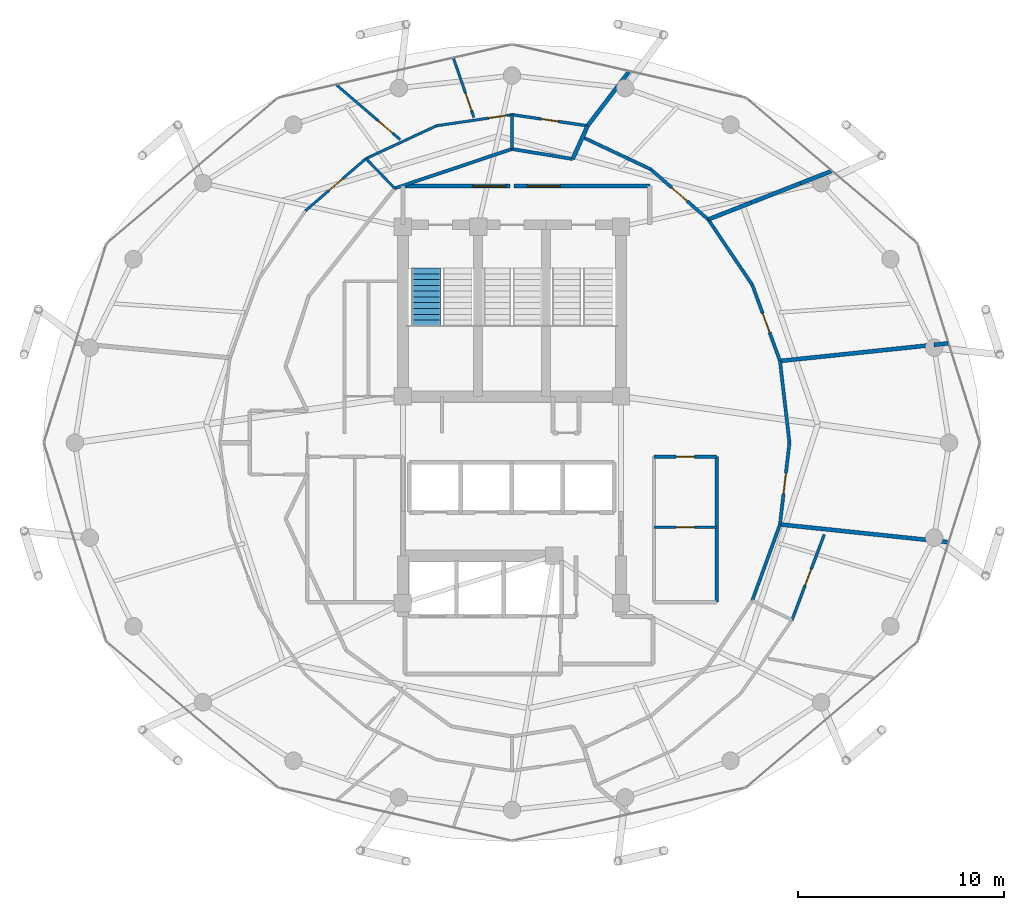
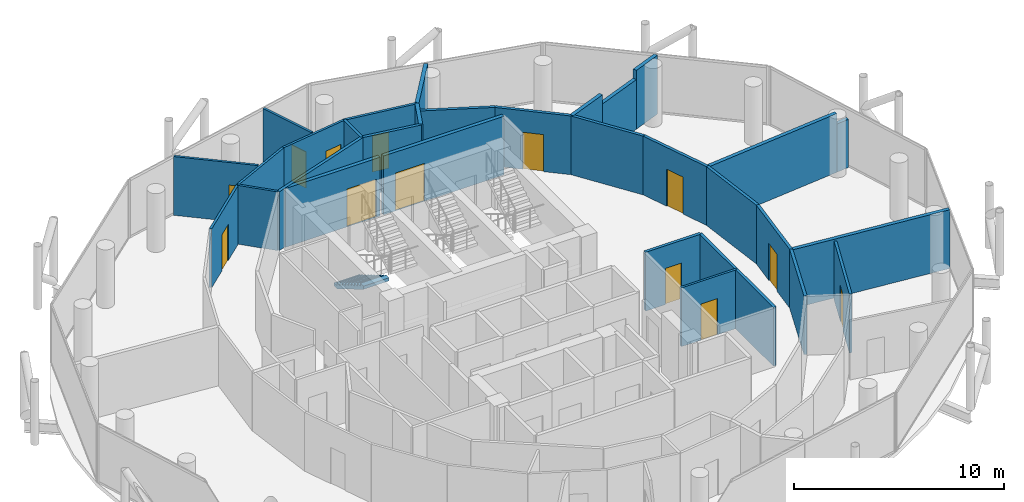
# One storey, part 25 of 27: 31 walls, 13 doors, 1 stair flight, 13 openings, 1 element without a shape of its own.
"""IFC4 building model written with IfcOpenShell, lengths in metres."""

from ifc_helpers import new_model, si_unit, direction, frame, frame_2d, origin, place, context, subcontext, project, spatial, polyline, rectangle, outline, extrude, material, layer, layer_set, type_object, element, fill, aggregate, save


model = new_model("IFC4")

# Units and contexts
model_context = context("Model", 3, precision=1e-05, world=origin(), true_north=direction((0.0, 1.0)))
body_context = subcontext(model_context, "Body", "Model", "MODEL_VIEW")
ifc_project = project(units=[si_unit("LENGTHUNIT", "METRE"), si_unit("AREAUNIT", "SQUARE_METRE"), si_unit("VOLUMEUNIT", "CUBIC_METRE"), si_unit("PLANEANGLEUNIT", "RADIAN"), si_unit("MASSUNIT", "GRAM", prefix="KILO")], contexts=[model_context])

# Site, building, storey
site_placement = place(None, origin())
site = spatial("IfcSite", under=ifc_project, at=site_placement, CompositionType="ELEMENT")
building_placement = place(site_placement, origin())
building = spatial("IfcBuilding", under=site, at=building_placement, Name="Nuhasar Tower", CompositionType="ELEMENT")
storey_placement = place(building_placement, frame((0.0, 0.0, 244.64990234375)))
storey = spatial("IfcBuildingStorey", under=building, at=storey_placement, Name="L60", CompositionType="ELEMENT", Elevation=244.64990234375)

# Wall
ifc_material_1 = material(Name="Gypsum Board", Category="gypsum")
ifc_layer_1 = layer(ifc_material_1, 0.159912109375)
ifc_layer_set_1 = layer_set([ifc_layer_1], Name="Gypsum Board")
wall_type_1 = type_object("IfcWallType", Name="WL-CORR-160", PredefinedType="PARTITIONING", material=ifc_layer_set_1)
wall_1_placement = place(storey_placement, frame((48.949951171875, 19.050048828125, 0.0), z_axis=(0.0, 0.0, 1.0), x_axis=(0.0, 1.0, 0.0)))
element("IfcWall", 1, at=wall_1_placement, inside=storey, type_object=wall_type_1, Name="L60 Interior Partition RECL-B2-E", PredefinedType="PARTITIONING", context=body_context, shape_type="SweptSolid", body=[
    extrude(rectangle(XDim=7.070068359375, YDim=0.159912109375, at=frame_2d((3.53515625, 0.0))), origin(), (0.0, 0.0, 1.0), 3.41015625),
])

# Wall, opening, door
wall_2_placement = place(storey_placement, frame((48.949951171875, 26.1201171875, 0.0), z_axis=(0.0, 0.0, 1.0), x_axis=(-1.0, 0.0, 0.0)))
wall_2 = element("IfcWall", 2, at=wall_2_placement, inside=storey, type_object=wall_type_1, Name="L60 Interior Partition RECL-B2-N", PredefinedType="PARTITIONING", context=body_context, shape_type="SweptSolid", body=[
    extrude(rectangle(XDim=3.050048828125, YDim=0.159912109375, at=frame_2d((1.52490234375, 0.0))), origin(), (0.0, 0.0, 1.0), 3.41015625),
])
opening_1_placement = place(wall_2_placement, frame((1.074951171875, 0.0, 0.0)))
opening_1 = element("IfcOpeningElement", 3, at=opening_1_placement, cuts=wall_2, Name="Opening DR-01", PredefinedType="OPENING", context=body_context, shape_type="SweptSolid", body=[
    extrude(rectangle(XDim=0.89990234375, YDim=2.10009765625, at=frame_2d((0.449951171875, 1.050048828125))), frame((0.0, 0.08984375, 0.0), z_axis=(0.0, -1.0, 0.0), x_axis=(1.0, 0.0, 0.0)), (0.0, 0.0, 1.0), 0.179931640625),
])
ifc_material_2 = material(Name="Timber Oak", Category="wood")
door_type_1 = type_object("IfcDoorType", Name="DR-ROOM-900", OperationType="NOTDEFINED", PredefinedType="DOOR", material=ifc_material_2)
door_1_placement = place(opening_1_placement, origin())
door_1 = element("IfcDoor", 4, at=door_1_placement, inside=storey, type_object=door_type_1, Name="L60 Utility Room Door", OperationType="SINGLE_SWING_LEFT", OverallHeight=2.10009765625, OverallWidth=0.89990234375, PredefinedType="DOOR", context=body_context, shape_type="SweptSolid", body=[
    extrude(rectangle(XDim=0.89990234375, YDim=2.10009765625, at=frame_2d((0.449951171875, 1.050048828125))), frame((0.0, 0.02490234375, 0.0), z_axis=(0.0, -1.0, 0.0), x_axis=(1.0, 0.0, 0.0)), (0.0, 0.0, 1.0), 0.050048828125),
])
fill(opening_1, door_1)

# Wall
wall_3_placement = place(storey_placement, frame((50.68310546875, 19.125, 0.0), z_axis=(0.0, 0.0, 1.0), x_axis=(0.341917221123, 0.939730075021, 0.0)))
element("IfcWall", 5, at=wall_3_placement, inside=storey, type_object=wall_type_1, Name="L60 Interior Partition CORR-44", PredefinedType="PARTITIONING", context=body_context, shape_type="SweptSolid", body=[
    extrude(rectangle(XDim=3.939208984375, YDim=0.159912109375, at=frame_2d((1.9697265625, 0.0))), origin(), (0.0, 0.0, 1.0), 3.41015625),
])

# Wall, opening, door
wall_4_placement = place(storey_placement, frame((52.489990234375, 26.800048828125, 0.0), z_axis=(0.0, 0.0, 1.0), x_axis=(-0.114999429198, -0.99336555773, 0.0)))
wall_4 = element("IfcWall", 6, at=wall_4_placement, inside=storey, type_object=wall_type_1, Name="L60 Interior Partition CORR-46", PredefinedType="PARTITIONING", context=body_context, shape_type="SweptSolid", body=[
    extrude(rectangle(XDim=3.999755859375, YDim=0.159912109375, at=frame_2d((2.0, 0.0))), origin(), (0.0, 0.0, 1.0), 3.41015625),
])
opening_2_placement = place(wall_4_placement, frame((1.5, 0.0, 0.0)))
opening_2 = element("IfcOpeningElement", 7, at=opening_2_placement, cuts=wall_4, Name="Opening DU-02", PredefinedType="OPENING", context=body_context, shape_type="SweptSolid", body=[
    extrude(rectangle(XDim=1.0, YDim=2.14990234375, at=frame_2d((0.5, 1.074951171875))), frame((0.0, 0.08984375, 0.0), z_axis=(0.0, -1.0, 0.0), x_axis=(1.0, 0.0, 0.0)), (0.0, 0.0, 1.0), 0.179931640625),
])
door_type_2 = type_object("IfcDoorType", Name="DR-FLAT-FD60-1000", OperationType="NOTDEFINED", PredefinedType="DOOR", material=ifc_material_2)
door_2_placement = place(opening_2_placement, origin())
door_2 = element("IfcDoor", 8, at=door_2_placement, inside=storey, type_object=door_type_2, Name="L60 Resident Gourmet Convenience Boutique Entrance Door", OperationType="SINGLE_SWING_RIGHT", OverallHeight=2.14990234375, OverallWidth=1.0, PredefinedType="DOOR", context=body_context, shape_type="SweptSolid", body=[
    extrude(rectangle(XDim=1.0, YDim=2.14990234375, at=frame_2d((0.5, 1.074951171875))), frame((0.0, 0.02490234375, 0.0), z_axis=(0.0, -1.0, 0.0), x_axis=(1.0, 0.0, 0.0)), (0.0, 0.0, 1.0), 0.050048828125),
])
fill(opening_2, door_2)

# Wall
wall_5_placement = place(storey_placement, frame((52.489990234375, 26.800048828125, 0.0), z_axis=(0.0, 0.0, 1.0), x_axis=(-0.115006402616, 0.99336475041, 0.0)))
element("IfcWall", 9, at=wall_5_placement, inside=storey, type_object=wall_type_1, Name="L60 Interior Partition CORR-00", PredefinedType="PARTITIONING", context=body_context, shape_type="SweptSolid", body=[
    extrude(rectangle(XDim=3.99951171875, YDim=0.159912109375, at=frame_2d((1.999755859375, 0.0))), origin(), (0.0, 0.0, 1.0), 3.41015625),
])

# Wall, opening, door
wall_6_placement = place(storey_placement, frame((50.68310546875, 34.47509765625, 0.0), z_axis=(0.0, 0.0, 1.0), x_axis=(0.341897308959, -0.939737319748, 0.0)))
wall_6 = element("IfcWall", 10, at=wall_6_placement, inside=storey, type_object=wall_type_1, Name="L60 Interior Partition CORR-02", PredefinedType="PARTITIONING", context=body_context, shape_type="SweptSolid", body=[
    extrude(rectangle(XDim=3.939453125, YDim=0.159912109375, at=frame_2d((1.9697265625, 0.0))), origin(), (0.0, 0.0, 1.0), 3.41015625),
])
opening_3_placement = place(wall_6_placement, frame((1.469970703125, 0.0, 0.0)))
opening_3 = element("IfcOpeningElement", 11, at=opening_3_placement, cuts=wall_6, Name="Opening DU-02", PredefinedType="OPENING", context=body_context, shape_type="SweptSolid", body=[
    extrude(rectangle(XDim=1.0, YDim=2.14990234375, at=frame_2d((0.5, 1.074951171875))), frame((0.0, 0.08984375, 0.0), z_axis=(0.0, -1.0, 0.0), x_axis=(1.0, 0.0, 0.0)), (0.0, 0.0, 1.0), 0.179931640625),
])
door_3_placement = place(opening_3_placement, origin())
door_3 = element("IfcDoor", 12, at=door_3_placement, inside=storey, type_object=door_type_2, Name="L60 Resident Florist & Art Shop Entrance Door", OperationType="SINGLE_SWING_RIGHT", OverallHeight=2.14990234375, OverallWidth=1.0, PredefinedType="DOOR", context=body_context, shape_type="SweptSolid", body=[
    extrude(rectangle(XDim=1.0, YDim=2.14990234375, at=frame_2d((0.5, 1.074951171875))), frame((0.0, 0.02490234375, 0.0), z_axis=(0.0, -1.0, 0.0), x_axis=(1.0, 0.0, 0.0)), (0.0, 0.0, 1.0), 0.050048828125),
])
fill(opening_3, door_3)

# Wall
wall_7_placement = place(storey_placement, frame((50.68310546875, 34.47509765625, 0.0), z_axis=(0.0, 0.0, 1.0), x_axis=(-0.55915897058, 0.829060459568, 0.0)))
element("IfcWall", 13, at=wall_7_placement, inside=storey, type_object=wall_type_1, Name="L60 Interior Partition CORR-04", PredefinedType="PARTITIONING", context=body_context, shape_type="SweptSolid", body=[
    extrude(rectangle(XDim=3.83447265625, YDim=0.159912109375, at=frame_2d((1.917236328125, 0.0))), origin(), (0.0, 0.0, 1.0), 3.41015625),
])

# Wall, opening, door
wall_8_placement = place(storey_placement, frame((45.7451171875, 40.093017578125, 0.0), z_axis=(0.0, 0.0, 1.0), x_axis=(0.75334282606, -0.65762800003, 0.0)))
wall_8 = element("IfcWall", 14, at=wall_8_placement, inside=storey, type_object=wall_type_1, Name="L60 Interior Partition CORR-06", PredefinedType="PARTITIONING", context=body_context, shape_type="SweptSolid", body=[
    extrude(rectangle(XDim=3.708740234375, YDim=0.159912109375, at=frame_2d((1.8544921875, 0.0))), origin(), (0.0, 0.0, 1.0), 3.41015625),
])
opening_4_placement = place(wall_8_placement, frame((1.35400390625, 0.0, 0.0)))
opening_4 = element("IfcOpeningElement", 15, at=opening_4_placement, cuts=wall_8, Name="Opening DU-02", PredefinedType="OPENING", context=body_context, shape_type="SweptSolid", body=[
    extrude(rectangle(XDim=1.0, YDim=2.14990234375, at=frame_2d((0.5, 1.074951171875))), frame((0.0, 0.08984375, 0.0), z_axis=(0.0, -1.0, 0.0), x_axis=(1.0, 0.0, 0.0)), (0.0, 0.0, 1.0), 0.179931640625),
])
door_4_placement = place(opening_4_placement, origin())
door_4 = element("IfcDoor", 16, at=door_4_placement, inside=storey, type_object=door_type_2, Name="L60 Residents Lounge Pantry Entrance Door", OperationType="SINGLE_SWING_RIGHT", OverallHeight=2.14990234375, OverallWidth=1.0, PredefinedType="DOOR", context=body_context, shape_type="SweptSolid", body=[
    extrude(rectangle(XDim=1.0, YDim=2.14990234375, at=frame_2d((0.5, 1.074951171875))), frame((0.0, 0.02490234375, 0.0), z_axis=(0.0, -1.0, 0.0), x_axis=(1.0, 0.0, 0.0)), (0.0, 0.0, 1.0), 0.050048828125),
])
fill(opening_4, door_4)

# Walls
wall_9_placement = place(storey_placement, frame((45.7451171875, 40.093017578125, 0.0), z_axis=(0.0, 0.0, 1.0), x_axis=(-0.904507668207, 0.426457357955, 0.0)))
element("IfcWall", 17, at=wall_9_placement, inside=storey, type_object=wall_type_1, Name="L60 Interior Partition CORR-08", PredefinedType="PARTITIONING", context=body_context, shape_type="SweptSolid", body=[
    extrude(rectangle(XDim=3.667236328125, YDim=0.159912109375, at=frame_2d((1.83349609375, 0.0))), origin(), (0.0, 0.0, 1.0), 3.41015625),
])
wall_10_placement = place(storey_placement, frame((41.950927734375, 40.593017578125, 0.0), z_axis=(0.0, 0.0, 1.0), x_axis=(-0.986650832406, 0.162850038111, 0.0)))
element("IfcWall", 18, at=wall_10_placement, inside=storey, type_object=wall_type_1, Name="L60 Interior Partition UWEST-CORE-N1-10", PredefinedType="PARTITIONING", context=body_context, shape_type="SweptSolid", body=[
    extrude(rectangle(XDim=2.990966796875, YDim=0.159912109375, at=frame_2d((1.49560546875, 0.0))), origin(), (0.0, 0.0, 1.0), 3.41015625),
])
wall_11_placement = place(storey_placement, frame((39.0, 41.080078125, 0.0), z_axis=(0.0, 0.0, 1.0), x_axis=(-0.948027514656, -0.318188358455, 0.0)))
element("IfcWall", 19, at=wall_11_placement, inside=storey, type_object=wall_type_1, Name="L60 Interior Partition UWEST-CORE-N2-12", PredefinedType="PARTITIONING", context=body_context, shape_type="SweptSolid", body=[
    extrude(rectangle(XDim=6.012451171875, YDim=0.159912109375, at=frame_2d((3.00634765625, 0.0))), origin(), (0.0, 0.0, 1.0), 3.41015625),
])

# Wall, opening, door
ifc_material_3 = material(Name="Concrete C45/55", Category="concrete")
ifc_layer_2 = layer(ifc_material_3, 0.199951171875)
ifc_layer_set_2 = layer_set([ifc_layer_2], Name="Concrete C45/55")
wall_type_2 = type_object("IfcWallType", Name="WL-LOBBY-200", PredefinedType="SOLIDWALL", material=ifc_layer_set_2)
wall_12_placement = place(storey_placement, frame((38.89990234375, 39.280029296875, 0.0), z_axis=(0.0, 0.0, 1.0), x_axis=(-1.0, 0.0, 0.0)))
wall_12 = element("IfcWall", 20, at=wall_12_placement, inside=storey, type_object=wall_type_2, Name="L60 Interior Partition NSL-N1", PredefinedType="SOLIDWALL", context=body_context, shape_type="SweptSolid", body=[
    extrude(rectangle(XDim=5.199951171875, YDim=0.199951171875, at=frame_2d((2.60009765625, 0.0))), origin(), (0.0, 0.0, 1.0), 3.41015625),
])
opening_5_placement = place(wall_12_placement, frame((0.199951171875, 0.0, 0.0)))
opening_5 = element("IfcOpeningElement", 21, at=opening_5_placement, cuts=wall_12, Name="Opening DC-01", PredefinedType="OPENING", context=body_context, shape_type="SweptSolid", body=[
    extrude(rectangle(XDim=1.60009765625, YDim=2.199951171875, at=frame_2d((0.800048828125, 1.10009765625))), frame((0.0, 0.10986328125, 0.0), z_axis=(0.0, -1.0, 0.0), x_axis=(1.0, 0.0, 0.0)), (0.0, 0.0, 1.0), 0.219970703125),
])
ifc_material_4 = material(Name="Steel S355", Category="steel")
door_type_3 = type_object("IfcDoorType", Name="DR-CORR-FD60-1600", OperationType="DOUBLE_DOOR_SINGLE_SWING", PredefinedType="DOOR", material=ifc_material_4)
door_5_placement = place(opening_5_placement, origin())
door_5 = element("IfcDoor", 22, at=door_5_placement, inside=storey, type_object=door_type_3, Name="L60 North Stair Lobby West Door", OperationType="DOUBLE_DOOR_SINGLE_SWING", OverallHeight=2.199951171875, OverallWidth=1.60009765625, PredefinedType="DOOR", context=body_context, shape_type="SweptSolid", body=[
    extrude(rectangle(XDim=1.60009765625, YDim=2.199951171875, at=frame_2d((0.800048828125, 1.10009765625))), frame((0.0, 0.02490234375, 0.0), z_axis=(0.0, -1.0, 0.0), x_axis=(1.0, 0.0, 0.0)), (0.0, 0.0, 1.0), 0.050048828125),
])
fill(opening_5, door_5)

wall_13_placement = place(storey_placement, frame((45.699951171875, 39.280029296875, 0.0), z_axis=(0.0, 0.0, 1.0), x_axis=(-1.0, 0.0, 0.0)))
wall_13 = element("IfcWall", 23, at=wall_13_placement, inside=storey, type_object=wall_type_2, Name="L60 Interior Partition NSL-N2", PredefinedType="SOLIDWALL", context=body_context, shape_type="SweptSolid", body=[
    extrude(rectangle(XDim=6.599853515625, YDim=0.199951171875, at=frame_2d((3.2998046875, 0.0))), origin(), (0.0, 0.0, 1.0), 3.41015625),
])
opening_6_placement = place(wall_13_placement, frame((4.35009765625, 0.0, 0.0)))
opening_6 = element("IfcOpeningElement", 24, at=opening_6_placement, cuts=wall_13, Name="Opening DC-01", PredefinedType="OPENING", context=body_context, shape_type="SweptSolid", body=[
    extrude(rectangle(XDim=1.60009765625, YDim=2.199951171875, at=frame_2d((0.800048828125, 1.10009765625))), frame((0.0, 0.10986328125, 0.0), z_axis=(0.0, -1.0, 0.0), x_axis=(1.0, 0.0, 0.0)), (0.0, 0.0, 1.0), 0.219970703125),
])
door_6_placement = place(opening_6_placement, origin())
door_6 = element("IfcDoor", 25, at=door_6_placement, inside=storey, type_object=door_type_3, Name="L60 North Stair Lobby East Door", OperationType="DOUBLE_DOOR_SINGLE_SWING", OverallHeight=2.199951171875, OverallWidth=1.60009765625, PredefinedType="DOOR", context=body_context, shape_type="SweptSolid", body=[
    extrude(rectangle(XDim=1.60009765625, YDim=2.199951171875, at=frame_2d((0.800048828125, 1.10009765625))), frame((0.0, 0.02490234375, 0.0), z_axis=(0.0, -1.0, 0.0), x_axis=(1.0, 0.0, 0.0)), (0.0, 0.0, 1.0), 0.050048828125),
])
fill(opening_6, door_6)

ifc_layer_3 = layer(ifc_material_1, 0.125)
ifc_layer_set_3 = layer_set([ifc_layer_3], Name="Gypsum Board")
wall_type_3 = type_object("IfcWallType", Name="WL-PART-125", PredefinedType="PARTITIONING", material=ifc_layer_set_3)
wall_14_placement = place(storey_placement, frame((48.949951171875, 22.699951171875, 0.0), z_axis=(0.0, 0.0, 1.0), x_axis=(-1.0, 0.0, 0.0)))
wall_14 = element("IfcWall", 26, at=wall_14_placement, inside=storey, type_object=wall_type_3, Name="L60 Interior Partition RECL-B2-M", PredefinedType="PARTITIONING", context=body_context, shape_type="SweptSolid", body=[
    extrude(rectangle(XDim=3.050048828125, YDim=0.125, at=frame_2d((1.52490234375, 0.0))), origin(), (0.0, 0.0, 1.0), 3.41015625),
])
opening_7_placement = place(wall_14_placement, frame((1.074951171875, 0.0, 0.0)))
opening_7 = element("IfcOpeningElement", 27, at=opening_7_placement, cuts=wall_14, Name="Opening DR-01", PredefinedType="OPENING", context=body_context, shape_type="SweptSolid", body=[
    extrude(rectangle(XDim=0.89990234375, YDim=2.10009765625, at=frame_2d((0.449951171875, 1.050048828125))), frame((0.0, 0.072509765625, 0.0), z_axis=(0.0, -1.0, 0.0), x_axis=(1.0, 0.0, 0.0)), (0.0, 0.0, 1.0), 0.14501953125),
])
door_7_placement = place(opening_7_placement, origin())
door_7 = element("IfcDoor", 28, at=door_7_placement, inside=storey, type_object=door_type_1, Name="L60 Inner Vault Door", OperationType="SINGLE_SWING_RIGHT", OverallHeight=2.10009765625, OverallWidth=0.89990234375, PredefinedType="DOOR", context=body_context, shape_type="SweptSolid", body=[
    extrude(rectangle(XDim=0.89990234375, YDim=2.10009765625, at=frame_2d((0.449951171875, 1.050048828125))), frame((0.0, 0.02490234375, 0.0), z_axis=(0.0, -1.0, 0.0), x_axis=(1.0, 0.0, 0.0)), (0.0, 0.0, 1.0), 0.050048828125),
])
fill(opening_7, door_7)

# Wall
wall_15_placement = place(storey_placement, frame((33.300048828125, 39.1669921875, 0.0), z_axis=(0.0, 0.0, 1.0), x_axis=(-0.695613346208, 0.718416364358, 0.0)))
element("IfcWall", 29, at=wall_15_placement, inside=storey, type_object=wall_type_3, Name="L60 Interior Partition USI-1-KD", PredefinedType="PARTITIONING", context=body_context, shape_type="SweptSolid", body=[
    extrude(rectangle(XDim=2.012939453125, YDim=0.125, at=frame_2d((1.00634765625, 0.0))), origin(), (0.0, 0.0, 1.0), 3.41015625),
])

# Wall, opening, door
wall_16_placement = place(storey_placement, frame((35.324951171875, 42.20703125, 0.0), z_axis=(0.0, 0.0, 1.0), x_axis=(0.989261252839, 0.146158043334, 0.0)))
wall_16 = element("IfcWall", 30, at=wall_16_placement, inside=storey, type_object=wall_type_3, Name="L60 Interior Partition USM-1-K-12", PredefinedType="PARTITIONING", context=body_context, shape_type="SweptSolid", body=[
    extrude(rectangle(XDim=3.71484375, YDim=0.125, at=frame_2d((1.857421875, 0.0))), origin(), (0.0, 0.0, 1.0), 3.41015625),
])
opening_8_placement = place(wall_16_placement, frame((2.56494140625, 0.0, 0.0)))
opening_8 = element("IfcOpeningElement", 31, at=opening_8_placement, cuts=wall_16, Name="Opening DR-01", PredefinedType="OPENING", context=body_context, shape_type="SweptSolid", body=[
    extrude(rectangle(XDim=0.89990234375, YDim=2.10009765625, at=frame_2d((0.449951171875, 1.050048828125))), frame((0.0, 0.072509765625, 0.0), z_axis=(0.0, -1.0, 0.0), x_axis=(1.0, 0.0, 0.0)), (0.0, 0.0, 1.0), 0.14501953125),
])
door_8_placement = place(opening_8_placement, origin())
door_8 = element("IfcDoor", 32, at=door_8_placement, inside=storey, type_object=door_type_1, Name="L60 North-West Sky Home Kitchen Door", OperationType="SINGLE_SWING_RIGHT", OverallHeight=2.10009765625, OverallWidth=0.89990234375, PredefinedType="DOOR", context=body_context, shape_type="SweptSolid", body=[
    extrude(rectangle(XDim=0.89990234375, YDim=2.10009765625, at=frame_2d((0.449951171875, 1.050048828125))), frame((0.0, 0.02490234375, 0.0), z_axis=(0.0, -1.0, 0.0), x_axis=(1.0, 0.0, 0.0)), (0.0, 0.0, 1.0), 0.050048828125),
])
fill(opening_8, door_8)

# Wall
wall_17_placement = place(storey_placement, frame((35.324951171875, 42.20703125, 0.0), z_axis=(0.0, 0.0, 1.0), x_axis=(-0.906625113427, -0.421937085007, 0.0)))
element("IfcWall", 33, at=wall_17_placement, inside=storey, type_object=wall_type_3, Name="L60 Interior Partition USM-1-K-14", PredefinedType="PARTITIONING", context=body_context, shape_type="SweptSolid", body=[
    extrude(rectangle(XDim=3.77783203125, YDim=0.125, at=frame_2d((1.888916015625, 0.0))), origin(), (0.0, 0.0, 1.0), 3.41015625),
])

# Wall, opening, door
wall_18_placement = place(storey_placement, frame((28.958984375, 38.077880859375, 0.0), z_axis=(0.0, 0.0, 1.0), x_axis=(0.757424973134, 0.652922208286, 0.0)))
wall_18 = element("IfcWall", 34, at=wall_18_placement, inside=storey, type_object=wall_type_3, Name="L60 Interior Partition USM-1-D-16", PredefinedType="PARTITIONING", context=body_context, shape_type="SweptSolid", body=[
    extrude(rectangle(XDim=3.8828125, YDim=0.125, at=frame_2d((1.94140625, 0.0))), origin(), (0.0, 0.0, 1.0), 3.41015625),
])
opening_9_placement = place(wall_18_placement, frame((1.490966796875, 0.0, 0.0)))
opening_9 = element("IfcOpeningElement", 35, at=opening_9_placement, cuts=wall_18, Name="Opening DR-01", PredefinedType="OPENING", context=body_context, shape_type="SweptSolid", body=[
    extrude(rectangle(XDim=0.89990234375, YDim=2.10009765625, at=frame_2d((0.449951171875, 1.050048828125))), frame((0.0, 0.072509765625, 0.0), z_axis=(0.0, -1.0, 0.0), x_axis=(1.0, 0.0, 0.0)), (0.0, 0.0, 1.0), 0.14501953125),
])
door_9_placement = place(opening_9_placement, origin())
door_9 = element("IfcDoor", 36, at=door_9_placement, inside=storey, type_object=door_type_1, Name="L60 North-West Sky Home Living Door", OperationType="SINGLE_SWING_LEFT", OverallHeight=2.10009765625, OverallWidth=0.89990234375, PredefinedType="DOOR", context=body_context, shape_type="SweptSolid", body=[
    extrude(rectangle(XDim=0.89990234375, YDim=2.10009765625, at=frame_2d((0.449951171875, 1.050048828125))), frame((0.0, 0.02490234375, 0.0), z_axis=(0.0, -1.0, 0.0), x_axis=(1.0, 0.0, 0.0)), (0.0, 0.0, 1.0), 0.050048828125),
])
fill(opening_9, door_9)

wall_19_placement = place(storey_placement, frame((37.14697265625, 42.614013671875, 0.0), z_axis=(0.0, 0.0, 1.0), x_axis=(-0.325834204973, 0.945426925188, 0.0)))
wall_19 = element("IfcWall", 37, at=wall_19_placement, inside=storey, type_object=wall_type_3, Name="L60 Interior Partition USO-1-B1", PredefinedType="PARTITIONING", context=body_context, shape_type="SweptSolid", body=[
    extrude(rectangle(XDim=3.029296875, YDim=0.125, at=frame_2d((1.5146484375, 0.0))), origin(), (0.0, 0.0, 1.0), 3.41015625),
])
opening_10_placement = place(wall_19_placement, frame((0.35009765625, 0.0, 0.0)))
opening_10 = element("IfcOpeningElement", 38, at=opening_10_placement, cuts=wall_19, Name="Opening DR-01", PredefinedType="OPENING", context=body_context, shape_type="SweptSolid", body=[
    extrude(rectangle(XDim=0.89990234375, YDim=2.10009765625, at=frame_2d((0.449951171875, 1.050048828125))), frame((0.0, 0.072509765625, 0.0), z_axis=(0.0, -1.0, 0.0), x_axis=(1.0, 0.0, 0.0)), (0.0, 0.0, 1.0), 0.14501953125),
])
door_10_placement = place(opening_10_placement, origin())
door_10 = element("IfcDoor", 39, at=door_10_placement, inside=storey, type_object=door_type_1, Name="L60 North-West Sky Home Master Bedroom Door", OperationType="SINGLE_SWING_LEFT", OverallHeight=2.10009765625, OverallWidth=0.89990234375, PredefinedType="DOOR", context=body_context, shape_type="SweptSolid", body=[
    extrude(rectangle(XDim=0.89990234375, YDim=2.10009765625, at=frame_2d((0.449951171875, 1.050048828125))), frame((0.0, 0.02490234375, 0.0), z_axis=(0.0, -1.0, 0.0), x_axis=(1.0, 0.0, 0.0)), (0.0, 0.0, 1.0), 0.050048828125),
])
fill(opening_10, door_10)

wall_20_placement = place(storey_placement, frame((33.56591796875, 41.535888671875, 0.0), z_axis=(0.0, 0.0, 1.0), x_axis=(-0.759099779472, 0.650974288897, 0.0)))
wall_20 = element("IfcWall", 40, at=wall_20_placement, inside=storey, type_object=wall_type_3, Name="L60 Interior Partition USO-1-B2", PredefinedType="PARTITIONING", context=body_context, shape_type="SweptSolid", body=[
    extrude(rectangle(XDim=4.066650390625, YDim=0.125, at=frame_2d((2.033203125, 0.0))), origin(), (0.0, 0.0, 1.0), 3.41015625),
])
opening_11_placement = place(wall_20_placement, frame((0.501953125, 0.0, 0.0)))
opening_11 = element("IfcOpeningElement", 41, at=opening_11_placement, cuts=wall_20, Name="Opening DR-01", PredefinedType="OPENING", context=body_context, shape_type="SweptSolid", body=[
    extrude(rectangle(XDim=0.89990234375, YDim=2.10009765625, at=frame_2d((0.449951171875, 1.050048828125))), frame((0.0, 0.072509765625, 0.0), z_axis=(0.0, -1.0, 0.0), x_axis=(1.0, 0.0, 0.0)), (0.0, 0.0, 1.0), 0.14501953125),
])
door_11_placement = place(opening_11_placement, origin())
door_11 = element("IfcDoor", 42, at=door_11_placement, inside=storey, type_object=door_type_1, Name="L60 North-West Sky Home Study Door", OperationType="SINGLE_SWING_LEFT", OverallHeight=2.10009765625, OverallWidth=0.89990234375, PredefinedType="DOOR", context=body_context, shape_type="SweptSolid", body=[
    extrude(rectangle(XDim=0.89990234375, YDim=2.10009765625, at=frame_2d((0.449951171875, 1.050048828125))), frame((0.0, 0.02490234375, 0.0), z_axis=(0.0, -1.0, 0.0), x_axis=(1.0, 0.0, 0.0)), (0.0, 0.0, 1.0), 0.050048828125),
])
fill(opening_11, door_11)

# Walls
ifc_material_5 = material(Name="Concrete C40/50 precast", Category="concrete")
ifc_layer_4 = layer(ifc_material_5, 0.199951171875)
ifc_layer_set_4 = layer_set([ifc_layer_4], Name="Concrete C40/50 precast")
wall_type_4 = type_object("IfcWallType", Name="WL-UNIT-200", PredefinedType="PARTITIONING", material=ifc_layer_set_4)
wall_21_placement = place(storey_placement, frame((41.950927734375, 40.593017578125, 0.0), z_axis=(0.0, 0.0, 1.0), x_axis=(0.409337233456, 0.912383159263, 0.0)))
element("IfcWall", 43, at=wall_21_placement, inside=storey, type_object=wall_type_4, Name="L60 Interior Partition URAD-10-NW-S1", PredefinedType="PARTITIONING", context=body_context, shape_type="SweptSolid", body=[
    extrude(rectangle(XDim=1.76904296875, YDim=0.199951171875, at=frame_2d((0.884521484375, 0.0))), origin(), (0.0, 0.0, 1.0), 3.41015625),
])
wall_22_placement = place(storey_placement, frame((42.675048828125, 42.20703125, 0.0), z_axis=(0.0, 0.0, 1.0), x_axis=(0.607307427022, 0.794466921328, 0.0)))
element("IfcWall", 44, at=wall_22_placement, inside=storey, type_object=wall_type_4, Name="L60 Interior Partition URAD-10-NW-S2", PredefinedType="PARTITIONING", context=body_context, shape_type="SweptSolid", body=[
    extrude(rectangle(XDim=3.302978515625, YDim=0.199951171875, at=frame_2d((1.6513671875, 0.0))), origin(), (0.0, 0.0, 1.0), 3.41015625),
])
wall_23_placement = place(storey_placement, frame((52.030029296875, 22.826904296875, 0.0), z_axis=(0.0, 0.0, 1.0), x_axis=(0.994523344894, -0.104514671028, 0.0)))
element("IfcWall", 45, at=wall_23_placement, inside=storey, type_object=wall_type_4, Name="L60 Interior Partition URAD-46", PredefinedType="PARTITIONING", context=body_context, shape_type="SweptSolid", body=[
    extrude(rectangle(XDim=8.2177734375, YDim=0.199951171875, at=frame_2d((4.10888671875, 0.0))), origin(), (0.0, 0.0, 1.0), 3.41015625),
])
wall_24_placement = place(storey_placement, frame((52.030029296875, 30.77294921875, 0.0), z_axis=(0.0, 0.0, 1.0), x_axis=(0.994537025742, 0.104384407017, 0.0)))
element("IfcWall", 46, at=wall_24_placement, inside=storey, type_object=wall_type_4, Name="L60 Interior Partition URAD-02", PredefinedType="PARTITIONING", context=body_context, shape_type="SweptSolid", body=[
    extrude(rectangle(XDim=7.53125, YDim=0.199951171875, at=frame_2d((3.765625, 0.0))), origin(), (0.0, 0.0, 1.0), 3.41015625),
])
wall_25_placement = place(storey_placement, frame((59.52001953125, 31.55908203125, 0.0), z_axis=(0.0, 0.0, 1.0), x_axis=(0.994484001442, 0.104888373409, 0.0)))
element("IfcWall", 47, at=wall_25_placement, inside=storey, type_object=wall_type_4, Name="L60 Interior Partition URAD-02", PredefinedType="PARTITIONING", context=body_context, shape_type="SweptSolid", body=[
    extrude(rectangle(XDim=0.686767578125, YDim=0.199951171875, at=frame_2d((0.34326171875, 0.0))), origin(), (0.0, 0.0, 1.0), 2.795166015625),
])
wall_26_placement = place(storey_placement, frame((48.5390625, 37.654052734375, 0.0), z_axis=(0.0, 0.0, 1.0), x_axis=(0.931110996266, 0.364735949192, 0.0)))
element("IfcWall", 48, at=wall_26_placement, inside=storey, type_object=wall_type_4, Name="L60 Interior Partition URAD-06", PredefinedType="PARTITIONING", context=body_context, shape_type="SweptSolid", body=[
    extrude(rectangle(XDim=2.242431640625, YDim=0.199951171875, at=frame_2d((1.12109375, 0.0))), origin(), (0.0, 0.0, 1.0), 3.41015625),
])
wall_27_placement = place(storey_placement, frame((50.626953125, 38.471923828125, 0.0), z_axis=(0.0, 0.0, 1.0), x_axis=(0.930956747199, 0.365129476823, 0.0)))
element("IfcWall", 49, at=wall_27_placement, inside=storey, type_object=wall_type_4, Name="L60 Interior Partition URAD-06", PredefinedType="PARTITIONING", context=body_context, shape_type="SweptSolid", body=[
    extrude(rectangle(XDim=2.571533203125, YDim=0.199951171875, at=frame_2d((1.28564453125, 0.0))), origin(), (0.0, 0.0, 1.0), 2.880126953125),
])
wall_28_placement = place(storey_placement, frame((53.02099609375, 39.410888671875, 0.0), z_axis=(0.0, 0.0, 1.0), x_axis=(0.931075100225, 0.364827572616, 0.0)))
element("IfcWall", 50, at=wall_28_placement, inside=storey, type_object=wall_type_4, Name="L60 Interior Partition URAD-06", PredefinedType="PARTITIONING", context=body_context, shape_type="SweptSolid", body=[
    extrude(rectangle(XDim=1.612060546875, YDim=0.199951171875, at=frame_2d((0.80615234375, 0.0))), origin(), (0.0, 0.0, 1.0), 3.41015625),
])

# Wall, opening, door
ifc_layer_5 = layer(ifc_material_5, 0.139892578125)
ifc_layer_set_5 = layer_set([ifc_layer_5], Name="Concrete C40/50 precast")
wall_type_5 = type_object("IfcWallType", Name="WL-WET-140", PredefinedType="PARTITIONING", material=ifc_layer_set_5)
wall_29_placement = place(storey_placement, frame((54.18408203125, 22.3349609375, 0.0), z_axis=(0.0, 0.0, 1.0), x_axis=(-0.353114384325, -0.935580157754, 0.0)))
wall_29 = element("IfcWall", 51, at=wall_29_placement, inside=storey, type_object=wall_type_5, Name="L60 Interior Partition UMID-01-B-44", PredefinedType="PARTITIONING", context=body_context, shape_type="SweptSolid", body=[
    extrude(rectangle(XDim=4.4462890625, YDim=0.139892578125, at=frame_2d((2.22314453125, 0.0))), origin(), (0.0, 0.0, 1.0), 3.41015625),
])
opening_12_placement = place(wall_29_placement, frame((1.798095703125, 0.0, 0.0)))
opening_12 = element("IfcOpeningElement", 52, at=opening_12_placement, cuts=wall_29, Name="Opening DB-01", PredefinedType="OPENING", context=body_context, shape_type="SweptSolid", body=[
    extrude(rectangle(XDim=0.85009765625, YDim=2.10009765625, at=frame_2d((0.425048828125, 1.050048828125))), frame((0.0, 0.080078125, 0.0), z_axis=(0.0, -1.0, 0.0), x_axis=(1.0, 0.0, 0.0)), (0.0, 0.0, 1.0), 0.159912109375),
])
door_type_4 = type_object("IfcDoorType", Name="DR-BATH-850", OperationType="NOTDEFINED", PredefinedType="DOOR", material=ifc_material_2)
door_12_placement = place(opening_12_placement, origin())
door_12 = element("IfcDoor", 53, at=door_12_placement, inside=storey, type_object=door_type_4, Name="L60 U01 Bathroom Door", OperationType="SINGLE_SWING_LEFT", OverallHeight=2.10009765625, OverallWidth=0.85009765625, PredefinedType="DOOR", context=body_context, shape_type="SweptSolid", body=[
    extrude(rectangle(XDim=0.85009765625, YDim=2.10009765625, at=frame_2d((0.425048828125, 1.050048828125))), frame((0.0, 0.02490234375, 0.0), z_axis=(0.0, -1.0, 0.0), x_axis=(1.0, 0.0, 0.0)), (0.0, 0.0, 1.0), 0.050048828125),
])
fill(opening_12, door_12)

# Wall
wall_30_placement = place(storey_placement, frame((39.0, 41.080078125, 0.0), z_axis=(0.0, 0.0, 1.0), x_axis=(0.0, 1.0, 0.0)))
element("IfcWall", 54, at=wall_30_placement, inside=storey, type_object=wall_type_5, Name="L60 Interior Partition USI-1-BK", PredefinedType="PARTITIONING", context=body_context, shape_type="SweptSolid", body=[
    extrude(rectangle(XDim=1.669921875, YDim=0.139892578125, at=frame_2d((0.8349609375, 0.0))), origin(), (0.0, 0.0, 1.0), 3.41015625),
])

# Wall, opening, door
wall_31_placement = place(storey_placement, frame((39.0, 42.75, 0.0), z_axis=(0.0, 0.0, 1.0), x_axis=(0.989261252839, -0.146158043334, 0.0)))
wall_31 = element("IfcWall", 55, at=wall_31_placement, inside=storey, type_object=wall_type_5, Name="L60 Interior Partition USM-1-B-10", PredefinedType="PARTITIONING", context=body_context, shape_type="SweptSolid", body=[
    extrude(rectangle(XDim=3.71484375, YDim=0.139892578125, at=frame_2d((1.857421875, 0.0))), origin(), (0.0, 0.0, 1.0), 3.41015625),
])
opening_13_placement = place(wall_31_placement, frame((1.431884765625, 0.0, 0.0)))
opening_13 = element("IfcOpeningElement", 56, at=opening_13_placement, cuts=wall_31, Name="Opening DB-01", PredefinedType="OPENING", context=body_context, shape_type="SweptSolid", body=[
    extrude(rectangle(XDim=0.85009765625, YDim=2.10009765625, at=frame_2d((0.425048828125, 1.050048828125))), frame((0.0, 0.080078125, 0.0), z_axis=(0.0, -1.0, 0.0), x_axis=(1.0, 0.0, 0.0)), (0.0, 0.0, 1.0), 0.159912109375),
])
door_13_placement = place(opening_13_placement, origin())
door_13 = element("IfcDoor", 57, at=door_13_placement, inside=storey, type_object=door_type_4, Name="L60 North-West Sky Home En-Suite Door", OperationType="SINGLE_SWING_RIGHT", OverallHeight=2.10009765625, OverallWidth=0.85009765625, PredefinedType="DOOR", context=body_context, shape_type="SweptSolid", body=[
    extrude(rectangle(XDim=0.85009765625, YDim=2.10009765625, at=frame_2d((0.425048828125, 1.050048828125))), frame((0.0, 0.02490234375, 0.0), z_axis=(0.0, -1.0, 0.0), x_axis=(1.0, 0.0, 0.0)), (0.0, 0.0, 1.0), 0.050048828125),
])
fill(opening_13, door_13)

# Stair, stair flight
stair_type = type_object("IfcStairType", Name="STR-ST-01-2F-22R-1659", PredefinedType="HALF_TURN_STAIR", material=ifc_material_3)
stair_placement = place(storey_placement, origin())
stair = element("IfcStair", 58, at=stair_placement, inside=storey, type_object=stair_type, Name="L60 Exit Stair ST-01", PredefinedType="HALF_TURN_STAIR")
stair_flight_type = type_object("IfcStairFlightType", Name="SFL-ST-01-11R-1659", PredefinedType="STRAIGHT", material=ifc_material_3)
stair_flight_placement = place(storey_placement, frame((34.830078125, 35.284912109375, 0.0), z_axis=(0.0, 0.0, 1.0), x_axis=(0.0, -1.0, 0.0)))
stair_flight = element("IfcStairFlight", 59, at=stair_flight_placement, type_object=stair_flight_type, Name="ST-01 flight 1", NumberOfRisers=11, NumberOfTreads=10, PredefinedType="STRAIGHT", RiserHeight=0.165909, TreadLength=0.28, context=body_context, shape_type="SweptSolid", body=[
    extrude(outline(polyline([(0.0, 0.0), (0.0, 0.166015625), (0.280029296875, 0.166015625), (0.280029296875, 0.331787109375), (0.56005859375, 0.331787109375), (0.56005859375, 0.497802734375), (0.840087890625, 0.497802734375), (0.840087890625, 0.66357421875), (1.1201171875, 0.66357421875), (1.1201171875, 0.82958984375), (1.39990234375, 0.82958984375), (1.39990234375, 0.995361328125), (1.679931640625, 0.995361328125), (1.679931640625, 1.161376953125), (1.9599609375, 1.161376953125), (1.9599609375, 1.327392578125), (2.239990234375, 1.327392578125), (2.239990234375, 1.4931640625), (2.52001953125, 1.4931640625), (2.52001953125, 1.6591796875), (2.800048828125, 1.6591796875), (2.800048828125, 1.824951171875), (2.800048828125, 1.47314453125), (0.313720703125, 0.0), (0.0, 0.0)])), frame((0.0, 0.7099609375, 0.0), z_axis=(0.0, -1.0, 0.0), x_axis=(1.0, 0.0, 0.0)), (0.0, 0.0, 1.0), 1.419921875),
])
aggregate(stair, [stair_flight])

save(model, "model.ifc")
